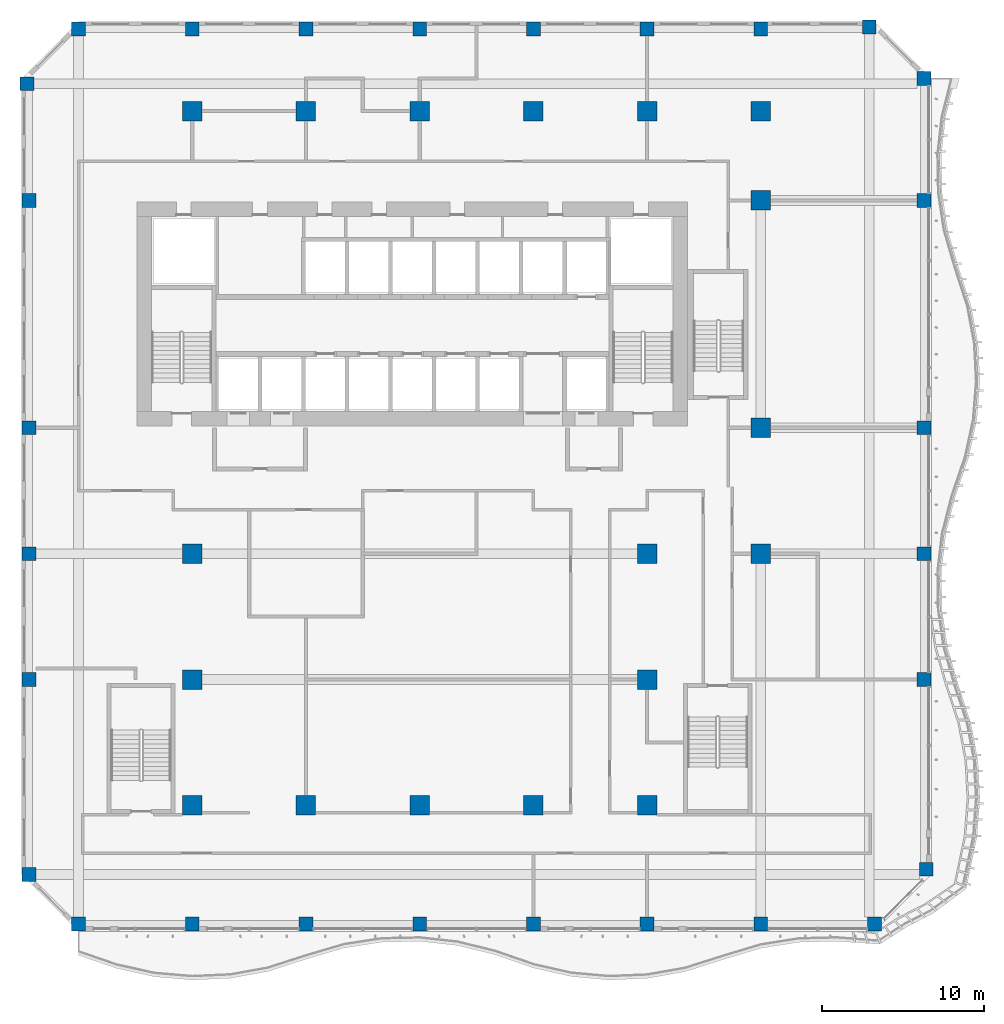
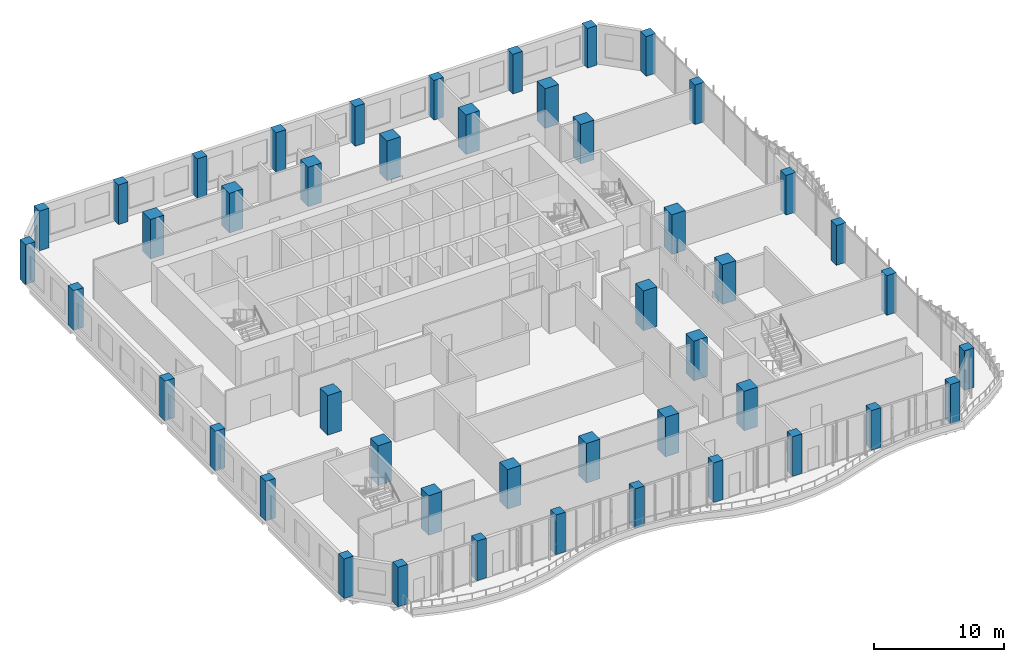
# One storey, part 1 of 26: 46 columns.
"""IFC4 building model written with IfcOpenShell, lengths in metres."""

from ifc_helpers import new_model, si_unit, direction, frame, origin, origin_2d, place, context, subcontext, project, spatial, rectangle, extrude, source, transform, mapped, material, material_profile, profile_set, type_object, element, save


model = new_model("IFC4")

# Units and contexts
model_context = context("Model", 3, precision=1e-05, world=origin(), true_north=direction((0.0, 1.0)))
body_context = subcontext(model_context, "Body", "Model", "MODEL_VIEW")
ifc_project = project(units=[si_unit("LENGTHUNIT", "METRE"), si_unit("AREAUNIT", "SQUARE_METRE"), si_unit("VOLUMEUNIT", "CUBIC_METRE"), si_unit("PLANEANGLEUNIT", "RADIAN"), si_unit("MASSUNIT", "GRAM", prefix="KILO")], contexts=[model_context])

# Site, building, storey
site_placement = place(None, origin())
site = spatial("IfcSite", under=ifc_project, at=site_placement, CompositionType="ELEMENT")
building_placement = place(site_placement, origin())
building = spatial("IfcBuilding", under=site, at=building_placement, Name="Kilnfold Tower and Market Hall", CompositionType="ELEMENT")
storey_placement = place(building_placement, frame((0.0, 0.0, 104.60009765625)))
storey = spatial("IfcBuildingStorey", under=building, at=storey_placement, Name="L24", CompositionType="ELEMENT", Elevation=104.60009765625)

# Columns
ifc_material_1 = material(Name="Concrete C80", Category="concrete")
ifc_material_profile_1 = material_profile(ifc_material_1, rectangle(XDim=0.85009765625, YDim=0.85009765625, at=origin_2d()), Name="RC 850x850")
ifc_profile_set_1 = profile_set([ifc_material_profile_1], Name="Concrete C80")
column_type_1 = type_object("IfcColumnType", Name="COLUMN 850X850 C80", PredefinedType="COLUMN", material=ifc_profile_set_1)
shared_shape_1 = source(origin(), body_context, "Body", "SweptSolid", [
    extrude(rectangle(XDim=0.85009765625, YDim=0.85009765625, at=origin_2d()), origin(), (0.0, 0.0, 1.0), 3.719970703125),
])
for number, where, z_axis, x_axis, name in (
    (1, (-22.681884765625, 29.181884765625, 0.0), (0.0, 0.0, 1.0), (1.0, 0.0, 0.0), "Column C-B3-1I"),
    (2, (-22.550048828125, -19.5, 0.0), (0.0, 0.0, 1.0), (1.0, 0.0, 0.0), "Column C-B3-1B"),
    (3, (-22.550048828125, -7.5, 0.0), (0.0, 0.0, 1.0), (1.0, 0.0, 0.0), "Column C-B3-1D"),
    (4, (-22.550048828125, 0.25, 0.0), (0.0, 0.0, 1.0), (1.0, 0.0, 0.0), "Column C-B3-1E"),
    (5, (-22.550048828125, 8.0, 0.0), (0.0, 0.0, 1.0), (1.0, 0.0, 0.0), "Column C-B3-1F"),
    (6, (-22.550048828125, 22.0, 0.0), (0.0, 0.0, 1.0), (1.0, 0.0, 0.0), "Column C-B3-1G"),
    (7, (-19.5, -22.550048828125, 0.0), (0.0, 0.0, 1.0), (1.0, 0.0, 0.0), "Column C-B3-2A"),
    (8, (-19.5, 32.550048828125, 0.0), (0.0, 0.0, 1.0), (1.0, 0.0, 0.0), "Column C-B3-2J"),
    (9, (-12.5, -22.550048828125, 0.0), (0.0, 0.0, 1.0), (1.0, 0.0, 0.0), "Column C-B3-3A"),
    (10, (-12.5, 32.550048828125, 0.0), (0.0, 0.0, 1.0), (1.0, 0.0, 0.0), "Column C-B3-3J"),
    (11, (-5.5, -22.550048828125, 0.0), (0.0, 0.0, 1.0), (1.0, 0.0, 0.0), "Column C-B3-4A"),
    (12, (-5.5, 32.550048828125, 0.0), (0.0, 0.0, 1.0), (1.0, 0.0, 0.0), "Column C-B3-4J"),
    (13, (1.5, -22.550048828125, 0.0), (0.0, 0.0, 1.0), (1.0, 0.0, 0.0), "Column C-B3-5A"),
    (14, (1.5, 32.550048828125, 0.0), (0.0, 0.0, 1.0), (1.0, 0.0, 0.0), "Column C-B3-5J"),
    (15, (8.5, -22.550048828125, 0.0), (0.0, 0.0, 1.0), (1.0, 0.0, 0.0), "Column C-B3-6A"),
    (16, (8.5, 32.550048828125, 0.0), (0.0, 0.0, 1.0), (1.0, 0.0, 0.0), "Column C-B3-6J"),
    (17, (15.5, -22.550048828125, 0.0), (0.0, 0.0, 1.0), (1.0, 0.0, 0.0), "Column C-B3-7A"),
    (18, (15.5, 32.550048828125, 0.0), (0.0, 0.0, 1.0), (1.0, 0.0, 0.0), "Column C-B3-7J"),
    (19, (22.5, -22.550048828125, 0.0), (0.0, 0.0, 1.0), (1.0, 0.0, 0.0), "Column C-B3-8A"),
    (20, (22.5, 32.550048828125, 0.0), (0.0, 0.0, 1.0), (1.0, 0.0, 0.0), "Column C-B3-8J"),
    (21, (29.181884765625, 32.681884765625, 0.0), (0.0, 0.0, 1.0), (1.0, 0.0, 0.0), "Column C-B3-9J"),
    (22, (29.5, -22.550048828125, 0.0), (0.0, 0.0, 1.0), (1.0, 0.0, 0.0), "Column C-B3-9A"),
    (23, (32.550048828125, -7.5, 0.0), (0.0, 0.0, 1.0), (1.0, 0.0, 0.0), "Column C-B3-10D"),
    (24, (32.550048828125, 0.25, 0.0), (0.0, 0.0, 1.0), (1.0, 0.0, 0.0), "Column C-B3-10E"),
    (25, (32.550048828125, 8.0, 0.0), (0.0, 0.0, 1.0), (1.0, 0.0, 0.0), "Column C-B3-10F"),
    (26, (32.550048828125, 22.0, 0.0), (0.0, 0.0, 1.0), (1.0, 0.0, 0.0), "Column C-B3-10G"),
    (27, (32.550048828125, 29.5, 0.0), (0.0, 0.0, 1.0), (1.0, 0.0, 0.0), "Column C-B3-10I"),
    (28, (32.681884765625, -19.181884765625, 0.0), (0.0, 0.0, 1.0), (1.0, 0.0, 0.0), "Column C-B3-10B"),
):
    element("IfcColumn", number, at=place(storey_placement, frame(where, z_axis=z_axis, x_axis=x_axis)), inside=storey, type_object=column_type_1, Name=name, PredefinedType="COLUMN", context=body_context, shape_type="MappedRepresentation", body=[
        mapped(shared_shape_1, transform((0.0, 0.0, 0.0))),
    ])
ifc_material_2 = material(Name="Concrete C80", Category="concrete")
ifc_material_profile_2 = material_profile(ifc_material_2, rectangle(XDim=1.199951171875, YDim=1.199951171875, at=origin_2d()), Name="RC 1200x1200")
ifc_profile_set_2 = profile_set([ifc_material_profile_2], Name="Concrete C80")
column_type_2 = type_object("IfcColumnType", Name="COLUMN 1200X1200 C80", PredefinedType="COLUMN", material=ifc_profile_set_2)
shared_shape_2 = source(origin(), body_context, "Body", "SweptSolid", [
    extrude(rectangle(XDim=1.199951171875, YDim=1.199951171875, at=origin_2d()), origin(), (0.0, 0.0, 1.0), 3.719970703125),
])
for number, where, z_axis, x_axis, name in (
    (29, (-12.5, -15.25, 0.0), (0.0, 0.0, 1.0), (1.0, 0.0, 0.0), "Column C-B3-3C"),
    (30, (-12.5, -7.5, 0.0), (0.0, 0.0, 1.0), (1.0, 0.0, 0.0), "Column C-B3-3D"),
    (31, (-12.5, 0.25, 0.0), (0.0, 0.0, 1.0), (1.0, 0.0, 0.0), "Column C-B3-3E"),
    (32, (-12.5, 27.5, 0.0), (0.0, 0.0, 1.0), (1.0, 0.0, 0.0), "Column C-B3-3H"),
    (33, (-5.5, -15.25, 0.0), (0.0, 0.0, 1.0), (1.0, 0.0, 0.0), "Column C-B3-4C"),
    (34, (-5.5, 27.5, 0.0), (0.0, 0.0, 1.0), (1.0, 0.0, 0.0), "Column C-B3-4H"),
    (35, (1.5, -15.25, 0.0), (0.0, 0.0, 1.0), (1.0, 0.0, 0.0), "Column C-B3-5C"),
    (36, (1.5, 27.5, 0.0), (0.0, 0.0, 1.0), (1.0, 0.0, 0.0), "Column C-B3-5H"),
    (37, (8.5, -15.25, 0.0), (0.0, 0.0, 1.0), (1.0, 0.0, 0.0), "Column C-B3-6C"),
    (38, (8.5, 27.5, 0.0), (0.0, 0.0, 1.0), (1.0, 0.0, 0.0), "Column C-B3-6H"),
    (39, (15.5, -15.25, 0.0), (0.0, 0.0, 1.0), (1.0, 0.0, 0.0), "Column C-B3-7C"),
    (40, (15.5, -7.5, 0.0), (0.0, 0.0, 1.0), (1.0, 0.0, 0.0), "Column C-B3-7D"),
    (41, (15.5, 0.25, 0.0), (0.0, 0.0, 1.0), (1.0, 0.0, 0.0), "Column C-B3-7E"),
    (42, (15.5, 27.5, 0.0), (0.0, 0.0, 1.0), (1.0, 0.0, 0.0), "Column C-B3-7H"),
    (43, (22.5, 0.25, 0.0), (0.0, 0.0, 1.0), (1.0, 0.0, 0.0), "Column C-B3-8E"),
    (44, (22.5, 8.0, 0.0), (0.0, 0.0, 1.0), (1.0, 0.0, 0.0), "Column C-B3-8F"),
    (45, (22.5, 22.0, 0.0), (0.0, 0.0, 1.0), (1.0, 0.0, 0.0), "Column C-B3-8G"),
    (46, (22.5, 27.5, 0.0), (0.0, 0.0, 1.0), (1.0, 0.0, 0.0), "Column C-B3-8H"),
):
    element("IfcColumn", number, at=place(storey_placement, frame(where, z_axis=z_axis, x_axis=x_axis)), inside=storey, type_object=column_type_2, Name=name, PredefinedType="COLUMN", context=body_context, shape_type="MappedRepresentation", body=[
        mapped(shared_shape_2, transform((0.0, 0.0, 0.0))),
    ])

save(model, "model.ifc")
